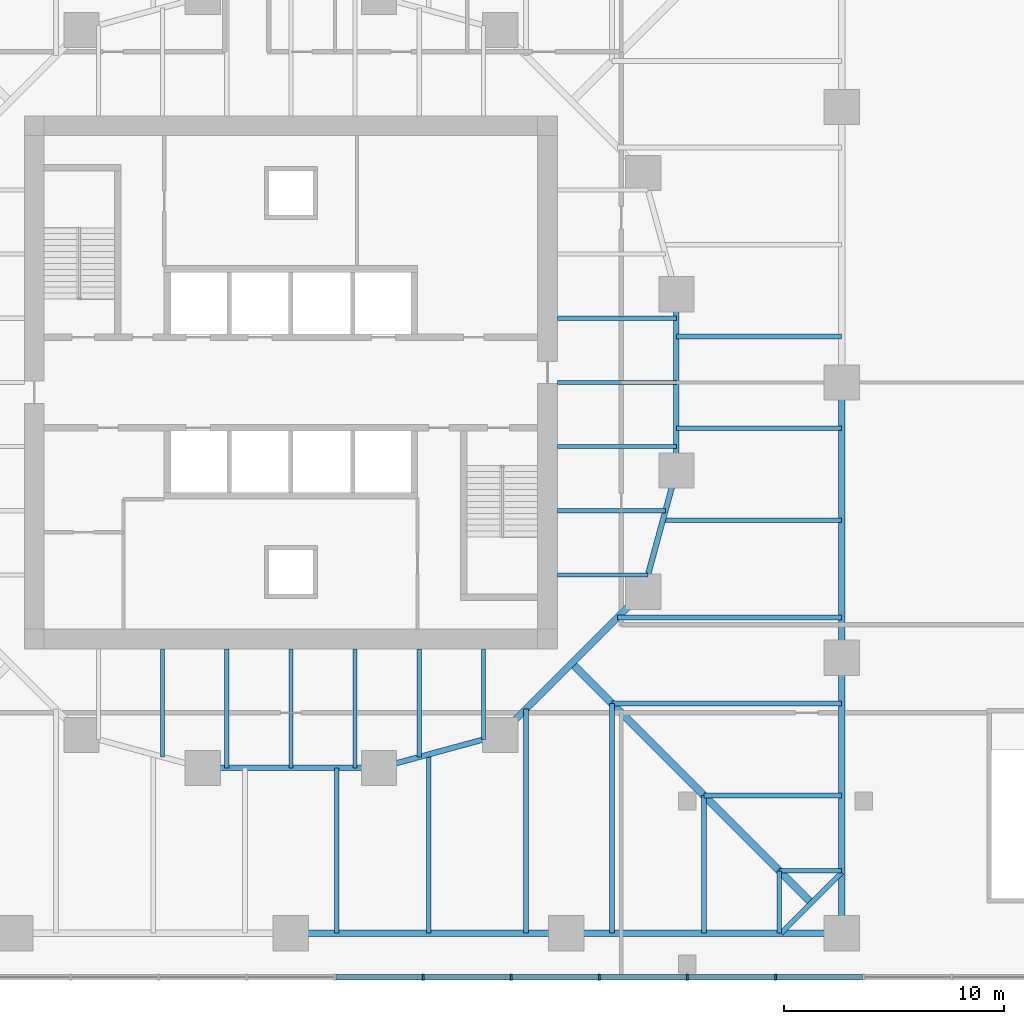
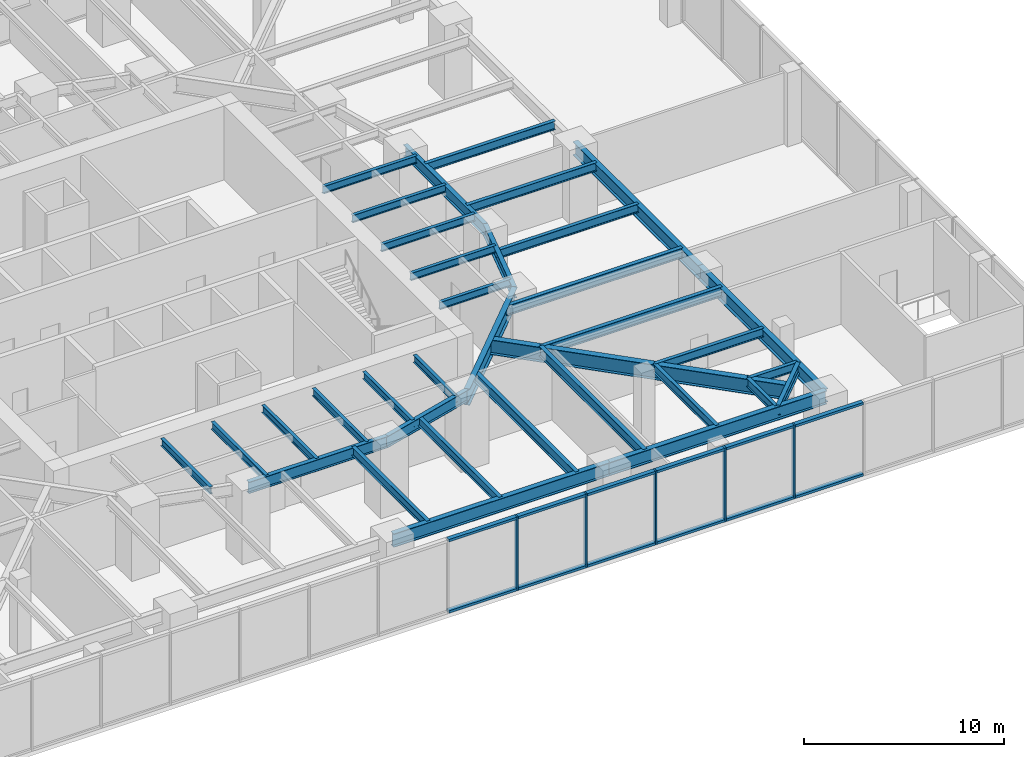
# One storey, part 4 of 14: 35 beams, 17 members, 1 element without a shape of its own.
"""IFC4 building model written with IfcOpenShell, lengths in metres."""

from ifc_helpers import new_model, si_unit, direction, frame, origin, origin_2d, place, context, subcontext, project, spatial, rectangle, i_section, extrude, material, material_profile, profile_set, type_object, element, aggregate, save


model = new_model("IFC4")

# Units and contexts
model_context = context("Model", 3, precision=1e-05, world=origin(), true_north=direction((0.0, 1.0)))
body_context = subcontext(model_context, "Body", "Model", "MODEL_VIEW")
ifc_project = project(units=[si_unit("LENGTHUNIT", "METRE"), si_unit("AREAUNIT", "SQUARE_METRE"), si_unit("VOLUMEUNIT", "CUBIC_METRE"), si_unit("PLANEANGLEUNIT", "RADIAN"), si_unit("MASSUNIT", "GRAM", prefix="KILO")], contexts=[model_context])

# Site, building, storey
site_placement = place(None, origin())
site = spatial("IfcSite", under=ifc_project, at=site_placement, CompositionType="ELEMENT")
building_placement = place(site_placement, origin())
building = spatial("IfcBuilding", under=site, at=building_placement, Name="Torsade Residences", CompositionType="ELEMENT")
storey_placement = place(building_placement, frame((0.0, 0.0, 10.5)))
storey = spatial("IfcBuildingStorey", under=building, at=storey_placement, Name="L02", CompositionType="ELEMENT", Elevation=10.5)

# Beams
ifc_material_1 = material(Name="Steel grade 300", Category="steel")
ifc_material_profile_1 = material_profile(ifc_material_1, i_section(OverallWidth=0.35009765625, OverallDepth=0.909912109375, WebThickness=0.011962890625, FlangeThickness=0.02490234375, at=origin_2d()), Name="900WB218")
ifc_profile_set_1 = profile_set([ifc_material_profile_1], Name="Steel grade 300")
beam_type_1 = type_object("IfcBeamType", Name="CORNER GIRDER 900WB218", PredefinedType="BEAM", material=ifc_profile_set_1)
beam_1_placement = place(storey_placement, frame((63.625, 6.375, 3.89501953125), z_axis=(-0.707106781187, 0.707106781187, 0.0), x_axis=(-0.707106781187, -0.707106781187, 0.0)))
element("IfcBeam", 1, at=beam_1_placement, inside=storey, type_object=beam_type_1, Name="Corner girder 05 L03", PredefinedType="BEAM", context=body_context, shape_type="SweptSolid", body=[
    extrude(i_section(OverallWidth=0.35009765625, OverallDepth=0.909912109375, WebThickness=0.011962890625, FlangeThickness=0.02490234375, at=origin_2d()), origin(), (0.0, 0.0, 1.0), 15.379638671875),
])
ifc_material_2 = material(Name="Steel grade 300", Category="steel")
ifc_material_profile_2 = material_profile(ifc_material_2, i_section(OverallWidth=0.22802734375, OverallDepth=0.60205078125, WebThickness=0.010498046875, FlangeThickness=0.014892578125, FilletRadius=0.013916015625, at=origin_2d()), Name="610UB101")
ifc_profile_set_2 = profile_set([ifc_material_profile_2], Name="Steel grade 300")
beam_type_2 = type_object("IfcBeamType", Name="CORNER TRIMMER 610UB101", PredefinedType="BEAM", material=ifc_profile_set_2)
beam_2_placement = place(storey_placement, frame((65.0, 7.75, 4.049072265625), z_axis=(-0.707106781187, -0.707106781187, 0.0), x_axis=(0.707106781187, -0.707106781187, 0.0)))
element("IfcBeam", 2, at=beam_2_placement, inside=storey, type_object=beam_type_2, Name="Corner trimmer 05 L03", PredefinedType="BEAM", context=body_context, shape_type="SweptSolid", body=[
    extrude(i_section(OverallWidth=0.22802734375, OverallDepth=0.60205078125, WebThickness=0.010498046875, FlangeThickness=0.014892578125, FilletRadius=0.013916015625, at=origin_2d()), origin(), (0.0, 0.0, 1.0), 3.88916015625),
])
ifc_material_3 = material(Name="Steel grade 300", Category="steel")
ifc_material_profile_3 = material_profile(ifc_material_3, i_section(OverallWidth=0.300048828125, OverallDepth=0.81591796875, WebThickness=0.010009765625, FlangeThickness=0.028076171875, at=origin_2d()), Name="800WB192")
ifc_profile_set_3 = profile_set([ifc_material_profile_3], Name="Steel grade 300")
beam_type_3 = type_object("IfcBeamType", Name="EDGE BEAM 800WB192", PredefinedType="SPANDREL", material=ifc_profile_set_3)
for number, where, z_axis, x_axis, name in (
    (3, (40.0, 5.0, 3.94189453125), (1.0, 0.0, 0.0), (0.0, 1.0, 0.0), "Edge beam 03 L03"),
    (4, (52.5, 5.0, 3.94189453125), (1.0, 0.0, 0.0), (0.0, 1.0, 0.0), "Edge beam 04 L03"),
    (5, (65.0, 5.0, 3.94189453125), (0.0, 1.0, 0.0), (-1.0, 0.0, 0.0), "Edge beam 05 L03"),
    (6, (65.0, 17.5, 3.94189453125), (0.0, 1.0, 0.0), (-1.0, 0.0, 0.0), "Edge beam 06 L03"),
):
    element("IfcBeam", number, at=place(storey_placement, frame(where, z_axis=z_axis, x_axis=x_axis)), inside=storey, type_object=beam_type_3, Name=name, PredefinedType="SPANDREL", context=body_context, shape_type="SweptSolid", body=[
        extrude(i_section(OverallWidth=0.300048828125, OverallDepth=0.81591796875, WebThickness=0.010009765625, FlangeThickness=0.028076171875, at=origin_2d()), origin(), (0.0, 0.0, 1.0), 12.5),
    ])
ifc_material_4 = material(Name="Steel grade 300", Category="steel")
ifc_material_profile_4 = material_profile(ifc_material_4, i_section(OverallWidth=0.18994140625, OverallDepth=0.4541015625, WebThickness=0.008544921875, FlangeThickness=0.0126953125, FilletRadius=0.011474609375, at=origin_2d()), Name="460UB67.1")
ifc_profile_set_4 = profile_set([ifc_material_profile_4], Name="Steel grade 300")
beam_type_4 = type_object("IfcBeamType", Name="INNER FLOOR BEAM 460UB67.1", PredefinedType="JOIST", material=ifc_profile_set_4)
beam_3_placement = place(storey_placement, frame((48.737548828125, 17.89990234375, 4.123046875), z_axis=(0.0, -1.0, 0.0), x_axis=(1.0, 0.0, 0.0)))
element("IfcBeam", 7, at=beam_3_placement, inside=storey, type_object=beam_type_4, Name="Inner floor beam IS01 L03", PredefinedType="JOIST", context=body_context, shape_type="SweptSolid", body=[
    extrude(i_section(OverallWidth=0.18994140625, OverallDepth=0.4541015625, WebThickness=0.008544921875, FlangeThickness=0.0126953125, FilletRadius=0.011474609375, at=origin_2d()), origin(), (0.0, 0.0, 1.0), 4.10791015625),
])
beam_4_placement = place(storey_placement, frame((45.824951171875, 17.89990234375, 4.123046875), z_axis=(0.0, -1.0, 0.0), x_axis=(1.0, 0.0, 0.0)))
element("IfcBeam", 8, at=beam_4_placement, inside=storey, type_object=beam_type_4, Name="Inner floor beam IS02 L03", PredefinedType="JOIST", context=body_context, shape_type="SweptSolid", body=[
    extrude(i_section(OverallWidth=0.18994140625, OverallDepth=0.4541015625, WebThickness=0.008544921875, FlangeThickness=0.0126953125, FilletRadius=0.011474609375, at=origin_2d()), origin(), (0.0, 0.0, 1.0), 4.902099609375),
])
for number, where, z_axis, x_axis, name in (
    (9, (42.91259765625, 17.89990234375, 4.123046875), (0.0, -1.0, 0.0), (1.0, 0.0, 0.0), "Inner floor beam IS03 L03"),
    (10, (40.0, 17.89990234375, 4.123046875), (0.0, -1.0, 0.0), (1.0, 0.0, 0.0), "Inner floor beam IS04 L03"),
    (11, (37.08740234375, 17.89990234375, 4.123046875), (0.0, -1.0, 0.0), (1.0, 0.0, 0.0), "Inner floor beam IS05 L03"),
):
    element("IfcBeam", number, at=place(storey_placement, frame(where, z_axis=z_axis, x_axis=x_axis)), inside=storey, type_object=beam_type_4, Name=name, PredefinedType="JOIST", context=body_context, shape_type="SweptSolid", body=[
        extrude(i_section(OverallWidth=0.18994140625, OverallDepth=0.4541015625, WebThickness=0.008544921875, FlangeThickness=0.0126953125, FilletRadius=0.011474609375, at=origin_2d()), origin(), (0.0, 0.0, 1.0), 5.39990234375),
    ])
beam_5_placement = place(storey_placement, frame((34.175048828125, 17.89990234375, 4.123046875), z_axis=(0.0, -1.0, 0.0), x_axis=(1.0, 0.0, 0.0)))
element("IfcBeam", 12, at=beam_5_placement, inside=storey, type_object=beam_type_4, Name="Inner floor beam IS06 L03", PredefinedType="JOIST", context=body_context, shape_type="SweptSolid", body=[
    extrude(i_section(OverallWidth=0.18994140625, OverallDepth=0.4541015625, WebThickness=0.008544921875, FlangeThickness=0.0126953125, FilletRadius=0.011474609375, at=origin_2d()), origin(), (0.0, 0.0, 1.0), 4.902099609375),
])
beam_6_placement = place(storey_placement, frame((52.10009765625, 21.262451171875, 4.123046875), z_axis=(1.0, 0.0, 0.0), x_axis=(0.0, 1.0, 0.0)))
element("IfcBeam", 13, at=beam_6_placement, inside=storey, type_object=beam_type_4, Name="Inner floor beam IE01 L03", PredefinedType="JOIST", context=body_context, shape_type="SweptSolid", body=[
    extrude(i_section(OverallWidth=0.18994140625, OverallDepth=0.4541015625, WebThickness=0.008544921875, FlangeThickness=0.0126953125, FilletRadius=0.011474609375, at=origin_2d()), origin(), (0.0, 0.0, 1.0), 4.10791015625),
])
beam_7_placement = place(storey_placement, frame((52.10009765625, 24.175048828125, 4.123046875), z_axis=(1.0, 0.0, 0.0), x_axis=(0.0, 1.0, 0.0)))
element("IfcBeam", 14, at=beam_7_placement, inside=storey, type_object=beam_type_4, Name="Inner floor beam IE02 L03", PredefinedType="JOIST", context=body_context, shape_type="SweptSolid", body=[
    extrude(i_section(OverallWidth=0.18994140625, OverallDepth=0.4541015625, WebThickness=0.008544921875, FlangeThickness=0.0126953125, FilletRadius=0.011474609375, at=origin_2d()), origin(), (0.0, 0.0, 1.0), 4.902099609375),
])
for number, where, z_axis, x_axis, name in (
    (15, (52.10009765625, 27.08740234375, 4.123046875), (1.0, 0.0, 0.0), (0.0, 1.0, 0.0), "Inner floor beam IE03 L03"),
    (16, (52.10009765625, 30.0, 4.123046875), (1.0, 0.0, 0.0), (0.0, 1.0, 0.0), "Inner floor beam IE04 L03"),
    (17, (52.10009765625, 32.91259765625, 4.123046875), (1.0, 0.0, 0.0), (0.0, 1.0, 0.0), "Inner floor beam IE05 L03"),
):
    element("IfcBeam", number, at=place(storey_placement, frame(where, z_axis=z_axis, x_axis=x_axis)), inside=storey, type_object=beam_type_4, Name=name, PredefinedType="JOIST", context=body_context, shape_type="SweptSolid", body=[
        extrude(i_section(OverallWidth=0.18994140625, OverallDepth=0.4541015625, WebThickness=0.008544921875, FlangeThickness=0.0126953125, FilletRadius=0.011474609375, at=origin_2d()), origin(), (0.0, 0.0, 1.0), 5.39990234375),
    ])

# Curtain wall, members
ifc_material_5 = material(Name="Aluminium and glass", Category="aluminium")
curtain_wall_type = type_object("IfcCurtainWallType", Name="PODIUM CURTAIN WALL", PredefinedType="NOTDEFINED", material=ifc_material_5)
curtain_wall_placement = place(storey_placement, origin())
curtain_wall = element("IfcCurtainWall", 18, at=curtain_wall_placement, inside=storey, type_object=curtain_wall_type, Name="Podium curtain wall L02 S", PredefinedType="NOTDEFINED")
ifc_material_6 = material(Name="Aluminium mullion", Category="aluminium")
ifc_material_profile_5 = material_profile(ifc_material_6, rectangle(XDim=0.25, YDim=0.090087890625, at=origin_2d()), Name="PODIUM CURTAIN WALL MULLION 250x90")
ifc_profile_set_5 = profile_set([ifc_material_profile_5], Name="Aluminium mullion")
member_type_1 = type_object("IfcMemberType", Name="PODIUM CURTAIN WALL MULLION 250x90", PredefinedType="MULLION", material=ifc_profile_set_5)
member_1_placement = place(storey_placement, frame((46.0, 3.0, 0.0), z_axis=(0.0, 0.0, 1.0), x_axis=(0.0, 1.0, 0.0)))
member_1 = element("IfcMember", 19, at=member_1_placement, type_object=member_type_1, Name="Mullion 12", PredefinedType="MULLION", context=body_context, shape_type="SweptSolid", body=[
    extrude(rectangle(XDim=0.25, YDim=0.090087890625, at=origin_2d()), origin(), (0.0, 0.0, 1.0), 4.5),
])
member_2_placement = place(storey_placement, frame((50.0, 3.0, 0.0), z_axis=(0.0, 0.0, 1.0), x_axis=(0.0, 1.0, 0.0)))
member_2 = element("IfcMember", 20, at=member_2_placement, type_object=member_type_1, Name="Mullion 13", PredefinedType="MULLION", context=body_context, shape_type="SweptSolid", body=[
    extrude(rectangle(XDim=0.25, YDim=0.090087890625, at=origin_2d()), origin(), (0.0, 0.0, 1.0), 4.5),
])
member_3_placement = place(storey_placement, frame((54.0, 3.0, 0.0), z_axis=(0.0, 0.0, 1.0), x_axis=(0.0, 1.0, 0.0)))
member_3 = element("IfcMember", 21, at=member_3_placement, type_object=member_type_1, Name="Mullion 14", PredefinedType="MULLION", context=body_context, shape_type="SweptSolid", body=[
    extrude(rectangle(XDim=0.25, YDim=0.090087890625, at=origin_2d()), origin(), (0.0, 0.0, 1.0), 4.5),
])
member_4_placement = place(storey_placement, frame((58.0, 3.0, 0.0), z_axis=(0.0, 0.0, 1.0), x_axis=(0.0, 1.0, 0.0)))
member_4 = element("IfcMember", 22, at=member_4_placement, type_object=member_type_1, Name="Mullion 15", PredefinedType="MULLION", context=body_context, shape_type="SweptSolid", body=[
    extrude(rectangle(XDim=0.25, YDim=0.090087890625, at=origin_2d()), origin(), (0.0, 0.0, 1.0), 4.5),
])
member_5_placement = place(storey_placement, frame((62.0, 3.0, 0.0), z_axis=(0.0, 0.0, 1.0), x_axis=(0.0, 1.0, 0.0)))
member_5 = element("IfcMember", 23, at=member_5_placement, type_object=member_type_1, Name="Mullion 16", PredefinedType="MULLION", context=body_context, shape_type="SweptSolid", body=[
    extrude(rectangle(XDim=0.25, YDim=0.090087890625, at=origin_2d()), origin(), (0.0, 0.0, 1.0), 4.5),
])
ifc_material_7 = material(Name="Aluminium transom", Category="aluminium")
ifc_material_profile_6 = material_profile(ifc_material_7, rectangle(XDim=0.25, YDim=0.14990234375, at=origin_2d()), Name="PODIUM CURTAIN WALL TRANSOM 250x150")
ifc_profile_set_6 = profile_set([ifc_material_profile_6], Name="Aluminium transom")
member_type_2 = type_object("IfcMemberType", Name="PODIUM CURTAIN WALL TRANSOM 250x150", PredefinedType="USERDEFINED", material=ifc_profile_set_6)
member_6_placement = place(storey_placement, frame((42.044921875, 3.0, 0.074951171875), z_axis=(1.0, 0.0, 0.0), x_axis=(0.0, 1.0, 0.0)))
member_6 = element("IfcMember", 24, at=member_6_placement, type_object=member_type_2, Name="Transom 11.1", ObjectType="TRANSOM", PredefinedType="USERDEFINED", context=body_context, shape_type="SweptSolid", body=[
    extrude(rectangle(XDim=0.25, YDim=0.14990234375, at=origin_2d()), origin(), (0.0, 0.0, 1.0), 3.91015625),
])
member_7_placement = place(storey_placement, frame((42.044921875, 3.0, 4.425048828125), z_axis=(1.0, 0.0, 0.0), x_axis=(0.0, 1.0, 0.0)))
member_7 = element("IfcMember", 25, at=member_7_placement, type_object=member_type_2, Name="Transom 11.2", ObjectType="TRANSOM", PredefinedType="USERDEFINED", context=body_context, shape_type="SweptSolid", body=[
    extrude(rectangle(XDim=0.25, YDim=0.14990234375, at=origin_2d()), origin(), (0.0, 0.0, 1.0), 3.91015625),
])
member_8_placement = place(storey_placement, frame((46.044921875, 3.0, 0.074951171875), z_axis=(1.0, 0.0, 0.0), x_axis=(0.0, 1.0, 0.0)))
member_8 = element("IfcMember", 26, at=member_8_placement, type_object=member_type_2, Name="Transom 12.1", ObjectType="TRANSOM", PredefinedType="USERDEFINED", context=body_context, shape_type="SweptSolid", body=[
    extrude(rectangle(XDim=0.25, YDim=0.14990234375, at=origin_2d()), origin(), (0.0, 0.0, 1.0), 3.91015625),
])
member_9_placement = place(storey_placement, frame((46.044921875, 3.0, 4.425048828125), z_axis=(1.0, 0.0, 0.0), x_axis=(0.0, 1.0, 0.0)))
member_9 = element("IfcMember", 27, at=member_9_placement, type_object=member_type_2, Name="Transom 12.2", ObjectType="TRANSOM", PredefinedType="USERDEFINED", context=body_context, shape_type="SweptSolid", body=[
    extrude(rectangle(XDim=0.25, YDim=0.14990234375, at=origin_2d()), origin(), (0.0, 0.0, 1.0), 3.91015625),
])
member_10_placement = place(storey_placement, frame((50.044921875, 3.0, 0.074951171875), z_axis=(1.0, 0.0, 0.0), x_axis=(0.0, 1.0, 0.0)))
member_10 = element("IfcMember", 28, at=member_10_placement, type_object=member_type_2, Name="Transom 13.1", ObjectType="TRANSOM", PredefinedType="USERDEFINED", context=body_context, shape_type="SweptSolid", body=[
    extrude(rectangle(XDim=0.25, YDim=0.14990234375, at=origin_2d()), origin(), (0.0, 0.0, 1.0), 3.91015625),
])
member_11_placement = place(storey_placement, frame((50.044921875, 3.0, 4.425048828125), z_axis=(1.0, 0.0, 0.0), x_axis=(0.0, 1.0, 0.0)))
member_11 = element("IfcMember", 29, at=member_11_placement, type_object=member_type_2, Name="Transom 13.2", ObjectType="TRANSOM", PredefinedType="USERDEFINED", context=body_context, shape_type="SweptSolid", body=[
    extrude(rectangle(XDim=0.25, YDim=0.14990234375, at=origin_2d()), origin(), (0.0, 0.0, 1.0), 3.91015625),
])
member_12_placement = place(storey_placement, frame((54.044921875, 3.0, 0.074951171875), z_axis=(1.0, 0.0, 0.0), x_axis=(0.0, 1.0, 0.0)))
member_12 = element("IfcMember", 30, at=member_12_placement, type_object=member_type_2, Name="Transom 14.1", ObjectType="TRANSOM", PredefinedType="USERDEFINED", context=body_context, shape_type="SweptSolid", body=[
    extrude(rectangle(XDim=0.25, YDim=0.14990234375, at=origin_2d()), origin(), (0.0, 0.0, 1.0), 3.91015625),
])
member_13_placement = place(storey_placement, frame((54.044921875, 3.0, 4.425048828125), z_axis=(1.0, 0.0, 0.0), x_axis=(0.0, 1.0, 0.0)))
member_13 = element("IfcMember", 31, at=member_13_placement, type_object=member_type_2, Name="Transom 14.2", ObjectType="TRANSOM", PredefinedType="USERDEFINED", context=body_context, shape_type="SweptSolid", body=[
    extrude(rectangle(XDim=0.25, YDim=0.14990234375, at=origin_2d()), origin(), (0.0, 0.0, 1.0), 3.91015625),
])
member_14_placement = place(storey_placement, frame((58.044921875, 3.0, 0.074951171875), z_axis=(1.0, 0.0, 0.0), x_axis=(0.0, 1.0, 0.0)))
member_14 = element("IfcMember", 32, at=member_14_placement, type_object=member_type_2, Name="Transom 15.1", ObjectType="TRANSOM", PredefinedType="USERDEFINED", context=body_context, shape_type="SweptSolid", body=[
    extrude(rectangle(XDim=0.25, YDim=0.14990234375, at=origin_2d()), origin(), (0.0, 0.0, 1.0), 3.91015625),
])
member_15_placement = place(storey_placement, frame((58.044921875, 3.0, 4.425048828125), z_axis=(1.0, 0.0, 0.0), x_axis=(0.0, 1.0, 0.0)))
member_15 = element("IfcMember", 33, at=member_15_placement, type_object=member_type_2, Name="Transom 15.2", ObjectType="TRANSOM", PredefinedType="USERDEFINED", context=body_context, shape_type="SweptSolid", body=[
    extrude(rectangle(XDim=0.25, YDim=0.14990234375, at=origin_2d()), origin(), (0.0, 0.0, 1.0), 3.91015625),
])
member_16_placement = place(storey_placement, frame((62.044921875, 3.0, 0.074951171875), z_axis=(1.0, 0.0, 0.0), x_axis=(0.0, 1.0, 0.0)))
member_16 = element("IfcMember", 34, at=member_16_placement, type_object=member_type_2, Name="Transom 16.1", ObjectType="TRANSOM", PredefinedType="USERDEFINED", context=body_context, shape_type="SweptSolid", body=[
    extrude(rectangle(XDim=0.25, YDim=0.14990234375, at=origin_2d()), origin(), (0.0, 0.0, 1.0), 3.91015625),
])
member_17_placement = place(storey_placement, frame((62.044921875, 3.0, 4.425048828125), z_axis=(1.0, 0.0, 0.0), x_axis=(0.0, 1.0, 0.0)))
member_17 = element("IfcMember", 35, at=member_17_placement, type_object=member_type_2, Name="Transom 16.2", ObjectType="TRANSOM", PredefinedType="USERDEFINED", context=body_context, shape_type="SweptSolid", body=[
    extrude(rectangle(XDim=0.25, YDim=0.14990234375, at=origin_2d()), origin(), (0.0, 0.0, 1.0), 3.91015625),
])
aggregate(curtain_wall, [member_1, member_2, member_3, member_4, member_5, member_6, member_7, member_8, member_9, member_10, member_11, member_12, member_13, member_14, member_15, member_16, member_17])

# Beams
ifc_material_8 = material(Name="Steel grade 300", Category="steel")
ifc_material_profile_7 = material_profile(ifc_material_8, i_section(OverallWidth=0.300048828125, OverallDepth=1.0, WebThickness=0.01611328125, FlangeThickness=0.028076171875, at=origin_2d()), Name="1000WB215")
ifc_profile_set_7 = profile_set([ifc_material_profile_7], Name="Steel grade 300")
beam_type_5 = type_object("IfcBeamType", Name="RING CORNER GIRDER 1000WB215", PredefinedType="BEAM", material=ifc_profile_set_7)
beam_8_placement = place(storey_placement, frame((49.5, 14.0, 3.85009765625), z_axis=(0.707106781187, 0.707106781187, 0.0), x_axis=(-0.707106781187, 0.707106781187, 0.0)))
element("IfcBeam", 36, at=beam_8_placement, inside=storey, type_object=beam_type_5, Name="Ring girder IR15 L03", PredefinedType="BEAM", context=body_context, shape_type="SweptSolid", body=[
    extrude(i_section(OverallWidth=0.300048828125, OverallDepth=1.0, WebThickness=0.01611328125, FlangeThickness=0.028076171875, at=origin_2d()), origin(), (0.0, 0.0, 1.0), 9.1923828125),
])
ifc_material_9 = material(Name="Steel grade 300", Category="steel")
ifc_material_profile_8 = material_profile(ifc_material_9, i_section(OverallWidth=0.25, OverallDepth=0.699951171875, WebThickness=0.010009765625, FlangeThickness=0.02001953125, at=origin_2d()), Name="700WB130")
ifc_profile_set_8 = profile_set([ifc_material_profile_8], Name="Steel grade 300")
beam_type_6 = type_object("IfcBeamType", Name="RING GIRDER 700WB130", PredefinedType="BEAM", material=ifc_profile_set_8)
for number, where, z_axis, x_axis, name in (
    (37, (57.5, 26.0, 4.0), (0.0, 1.0, 0.0), (-1.0, 0.0, 0.0), "Ring girder IR01 L03"),
    (38, (36.0, 12.5, 4.0), (1.0, 0.0, 0.0), (0.0, 1.0, 0.0), "Ring girder IR13 L03"),
):
    element("IfcBeam", number, at=place(storey_placement, frame(where, z_axis=z_axis, x_axis=x_axis)), inside=storey, type_object=beam_type_6, Name=name, PredefinedType="BEAM", context=body_context, shape_type="SweptSolid", body=[
        extrude(i_section(OverallWidth=0.25, OverallDepth=0.699951171875, WebThickness=0.010009765625, FlangeThickness=0.02001953125, at=origin_2d()), origin(), (0.0, 0.0, 1.0), 8.0),
    ])
for number, where, z_axis, x_axis, name in (
    (39, (44.0, 12.5, 4.0), (0.964763821238, 0.263117405792, 0.0), (-0.263117405792, 0.964763821238, 0.0), "Ring girder IR14 L03"),
    (40, (56.0, 20.5, 4.0), (0.263117405792, 0.964763821238, 0.0), (-0.964763821238, 0.263117405792, 0.0), "Ring girder IR16 L03"),
):
    element("IfcBeam", number, at=place(storey_placement, frame(where, z_axis=z_axis, x_axis=x_axis)), inside=storey, type_object=beam_type_6, Name=name, PredefinedType="BEAM", context=body_context, shape_type="SweptSolid", body=[
        extrude(i_section(OverallWidth=0.25, OverallDepth=0.699951171875, WebThickness=0.010009765625, FlangeThickness=0.02001953125, at=origin_2d()), origin(), (0.0, 0.0, 1.0), 5.700927734375),
    ])
ifc_material_10 = material(Name="Steel grade 300", Category="steel")
ifc_material_profile_9 = material_profile(ifc_material_10, i_section(OverallWidth=0.208984375, OverallDepth=0.528076171875, WebThickness=0.009521484375, FlangeThickness=0.01318359375, FilletRadius=0.013916015625, at=origin_2d()), Name="530UB82.0")
ifc_profile_set_9 = profile_set([ifc_material_profile_9], Name="Steel grade 300")
beam_type_7 = type_object("IfcBeamType", Name="SECONDARY BEAM 530UB82.0", PredefinedType="JOIST", material=ifc_profile_set_9)
beam_9_placement = place(storey_placement, frame((42.083251953125, 5.0, 4.0859375), z_axis=(0.0, 1.0, 0.0), x_axis=(-1.0, 0.0, 0.0)))
element("IfcBeam", 41, at=beam_9_placement, inside=storey, type_object=beam_type_7, Name="Floor beam FS07 L03", PredefinedType="JOIST", context=body_context, shape_type="SweptSolid", body=[
    extrude(i_section(OverallWidth=0.208984375, OverallDepth=0.528076171875, WebThickness=0.009521484375, FlangeThickness=0.01318359375, FilletRadius=0.013916015625, at=origin_2d()), origin(), (0.0, 0.0, 1.0), 7.5),
])
beam_10_placement = place(storey_placement, frame((46.25, 5.0, 4.0859375), z_axis=(0.0, 1.0, 0.0), x_axis=(-1.0, 0.0, 0.0)))
element("IfcBeam", 42, at=beam_10_placement, inside=storey, type_object=beam_type_7, Name="Floor beam FS08 L03", PredefinedType="JOIST", context=body_context, shape_type="SweptSolid", body=[
    extrude(i_section(OverallWidth=0.208984375, OverallDepth=0.528076171875, WebThickness=0.009521484375, FlangeThickness=0.01318359375, FilletRadius=0.013916015625, at=origin_2d()), origin(), (0.0, 0.0, 1.0), 8.113525390625),
])
beam_11_placement = place(storey_placement, frame((58.75, 5.0, 4.0859375), z_axis=(0.0, 1.0, 0.0), x_axis=(-1.0, 0.0, 0.0)))
element("IfcBeam", 43, at=beam_11_placement, inside=storey, type_object=beam_type_7, Name="Floor beam FS11 L03", PredefinedType="JOIST", context=body_context, shape_type="SweptSolid", body=[
    extrude(i_section(OverallWidth=0.208984375, OverallDepth=0.528076171875, WebThickness=0.009521484375, FlangeThickness=0.01318359375, FilletRadius=0.013916015625, at=origin_2d()), origin(), (0.0, 0.0, 1.0), 6.25),
])
for number, where, z_axis, x_axis, name in (
    (44, (62.166748046875, 5.0, 4.0859375), (0.0, 1.0, 0.0), (-1.0, 0.0, 0.0), "Floor beam FS12 L03"),
    (45, (65.0, 7.833251953125, 4.0859375), (-1.0, 0.0, 0.0), (0.0, -1.0, 0.0), "Floor beam FE01 L03"),
):
    element("IfcBeam", number, at=place(storey_placement, frame(where, z_axis=z_axis, x_axis=x_axis)), inside=storey, type_object=beam_type_7, Name=name, PredefinedType="JOIST", context=body_context, shape_type="SweptSolid", body=[
        extrude(i_section(OverallWidth=0.208984375, OverallDepth=0.528076171875, WebThickness=0.009521484375, FlangeThickness=0.01318359375, FilletRadius=0.013916015625, at=origin_2d()), origin(), (0.0, 0.0, 1.0), 2.833251953125),
    ])
beam_12_placement = place(storey_placement, frame((65.0, 11.25, 4.0859375), z_axis=(-1.0, 0.0, 0.0), x_axis=(0.0, -1.0, 0.0)))
element("IfcBeam", 46, at=beam_12_placement, inside=storey, type_object=beam_type_7, Name="Floor beam FE02 L03", PredefinedType="JOIST", context=body_context, shape_type="SweptSolid", body=[
    extrude(i_section(OverallWidth=0.208984375, OverallDepth=0.528076171875, WebThickness=0.009521484375, FlangeThickness=0.01318359375, FilletRadius=0.013916015625, at=origin_2d()), origin(), (0.0, 0.0, 1.0), 6.25),
])
beam_13_placement = place(storey_placement, frame((65.0, 23.75, 4.0859375), z_axis=(-1.0, 0.0, 0.0), x_axis=(0.0, -1.0, 0.0)))
element("IfcBeam", 47, at=beam_13_placement, inside=storey, type_object=beam_type_7, Name="Floor beam FE05 L03", PredefinedType="JOIST", context=body_context, shape_type="SweptSolid", body=[
    extrude(i_section(OverallWidth=0.208984375, OverallDepth=0.528076171875, WebThickness=0.009521484375, FlangeThickness=0.01318359375, FilletRadius=0.013916015625, at=origin_2d()), origin(), (0.0, 0.0, 1.0), 8.113525390625),
])
for number, where, z_axis, x_axis, name in (
    (48, (65.0, 27.916748046875, 4.0859375), (-1.0, 0.0, 0.0), (0.0, -1.0, 0.0), "Floor beam FE06 L03"),
    (49, (65.0, 32.083251953125, 4.0859375), (-1.0, 0.0, 0.0), (0.0, -1.0, 0.0), "Floor beam FE07 L03"),
):
    element("IfcBeam", number, at=place(storey_placement, frame(where, z_axis=z_axis, x_axis=x_axis)), inside=storey, type_object=beam_type_7, Name=name, PredefinedType="JOIST", context=body_context, shape_type="SweptSolid", body=[
        extrude(i_section(OverallWidth=0.208984375, OverallDepth=0.528076171875, WebThickness=0.009521484375, FlangeThickness=0.01318359375, FilletRadius=0.013916015625, at=origin_2d()), origin(), (0.0, 0.0, 1.0), 7.5),
    ])
ifc_material_11 = material(Name="Steel grade 300", Category="steel")
ifc_material_profile_10 = material_profile(ifc_material_11, i_section(OverallWidth=0.22900390625, OverallDepth=0.612060546875, WebThickness=0.011962890625, FlangeThickness=0.01953125, FilletRadius=0.013916015625, at=origin_2d()), Name="610UB125")
ifc_profile_set_10 = profile_set([ifc_material_profile_10], Name="Steel grade 300")
beam_type_8 = type_object("IfcBeamType", Name="SECONDARY BEAM 610UB125", PredefinedType="JOIST", material=ifc_profile_set_10)
beam_14_placement = place(storey_placement, frame((50.666748046875, 5.0, 4.0439453125), z_axis=(0.0, 1.0, 0.0), x_axis=(-1.0, 0.0, 0.0)))
element("IfcBeam", 50, at=beam_14_placement, inside=storey, type_object=beam_type_8, Name="Floor beam FS09 L03", PredefinedType="JOIST", context=body_context, shape_type="SweptSolid", body=[
    extrude(i_section(OverallWidth=0.22900390625, OverallDepth=0.612060546875, WebThickness=0.011962890625, FlangeThickness=0.01953125, FilletRadius=0.013916015625, at=origin_2d()), origin(), (0.0, 0.0, 1.0), 10.166748046875),
])
for number, where, z_axis, x_axis, name in (
    (51, (54.583251953125, 5.0, 4.0439453125), (0.0, 1.0, 0.0), (-1.0, 0.0, 0.0), "Floor beam FS10 L03"),
    (52, (65.0, 15.416748046875, 4.0439453125), (-1.0, 0.0, 0.0), (0.0, -1.0, 0.0), "Floor beam FE03 L03"),
):
    element("IfcBeam", number, at=place(storey_placement, frame(where, z_axis=z_axis, x_axis=x_axis)), inside=storey, type_object=beam_type_8, Name=name, PredefinedType="JOIST", context=body_context, shape_type="SweptSolid", body=[
        extrude(i_section(OverallWidth=0.22900390625, OverallDepth=0.612060546875, WebThickness=0.011962890625, FlangeThickness=0.01953125, FilletRadius=0.013916015625, at=origin_2d()), origin(), (0.0, 0.0, 1.0), 10.416748046875),
    ])
beam_15_placement = place(storey_placement, frame((65.0, 19.333251953125, 4.0439453125), z_axis=(-1.0, 0.0, 0.0), x_axis=(0.0, -1.0, 0.0)))
element("IfcBeam", 53, at=beam_15_placement, inside=storey, type_object=beam_type_8, Name="Floor beam FE04 L03", PredefinedType="JOIST", context=body_context, shape_type="SweptSolid", body=[
    extrude(i_section(OverallWidth=0.22900390625, OverallDepth=0.612060546875, WebThickness=0.011962890625, FlangeThickness=0.01953125, FilletRadius=0.013916015625, at=origin_2d()), origin(), (0.0, 0.0, 1.0), 10.166748046875),
])

save(model, "model.ifc")
